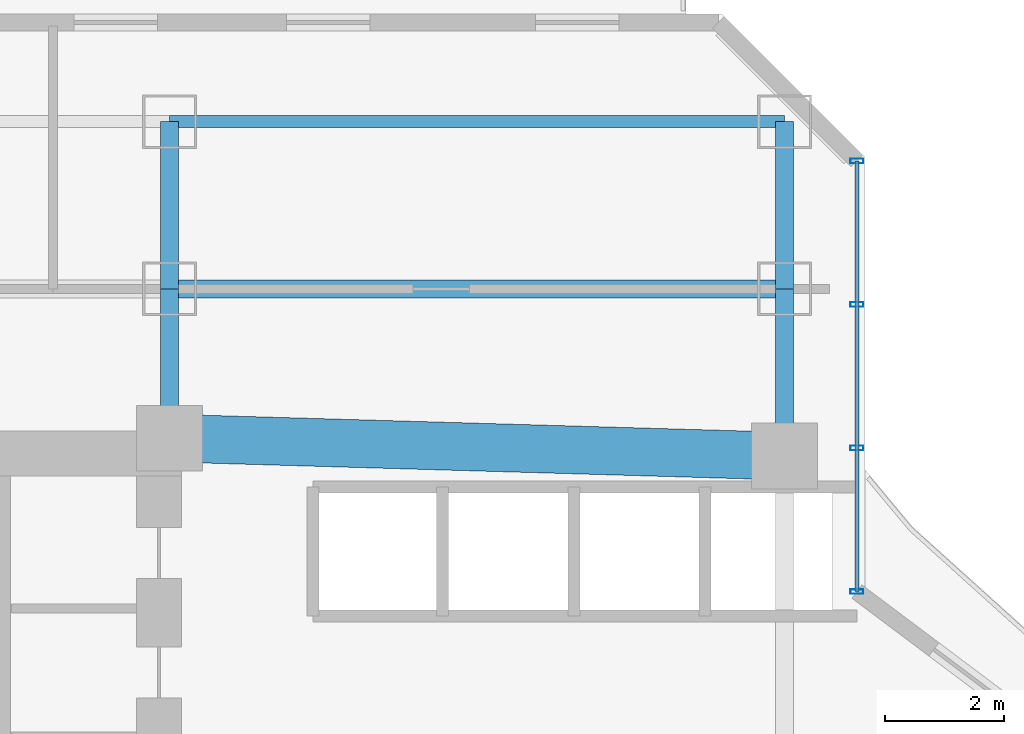
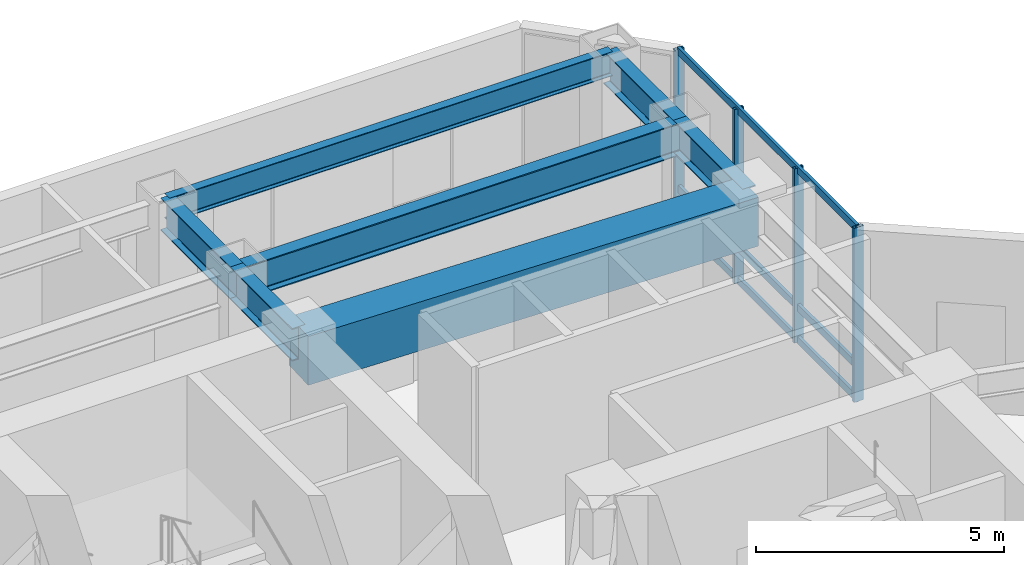
# One storey, part 12 of 27: 7 beams, 7 members, 1 element without a shape of its own.
"""IFC4 building model written with IfcOpenShell, lengths in metres."""

import ifcopenshell
import ifcopenshell.guid

model = None  # the IFC model being written
_history = None  # IfcOwnerHistory: only IFC2X3 demands one
_inside = {}  # id of a spatial element -> (the spatial element, [elements in it])
_under = {}  # id of a project, library or spatial element -> (it, [spatial elements below it])
_declared = {}  # id of a project -> (the project, [libraries it declares])
_typed = {}  # id of a type object -> (the type object, [elements of that type])
_made_of = {}  # id of a material, layer set ... -> (it, [elements and type objects made of it])


def new_model(schema):
    """Start an empty IFC model of exactly this schema.

    Asked for "IFC4X3", IfcOpenShell would pick the latest addendum, in which some entities
    have other attributes; the version numbers below select the first issue.
    IFC2X3 requires an IfcOwnerHistory on every rooted entity: one is made here for all.
    """
    global model, _history
    if schema == "IFC4X3":
        model = ifcopenshell.file(schema_version=(4, 3, 0, 0))
    else:
        model = ifcopenshell.file(schema=schema)
    _inside.clear()
    _under.clear()
    _declared.clear()
    _typed.clear()
    _made_of.clear()
    _history = None
    if model.schema == "IFC2X3":
        org = make("IfcOrganization", Name="unknown")
        user = make(
            "IfcPersonAndOrganization",
            ThePerson=make("IfcPerson", FamilyName="unknown"),
            TheOrganization=org,
        )
        app = make(
            "IfcApplication",
            ApplicationDeveloper=org,
            Version="unknown",
            ApplicationFullName="unknown",
            ApplicationIdentifier="unknown",
        )
        _history = make(
            "IfcOwnerHistory",
            OwningUser=user,
            OwningApplication=app,
            ChangeAction="ADDED",
            CreationDate=0,
        )
    return model


def make(cls, **values):
    """One entity of the class cls with the attributes given. An attribute that is None is left unset."""
    return model.create_entity(
        cls, **{name: value for name, value in values.items() if value is not None}
    )


def rooted(cls, **values):
    """An entity with a GlobalId (a new one), such as an element, a storey or a relation."""
    return make(cls, GlobalId=ifcopenshell.guid.new(), OwnerHistory=_history, **values)


def si_unit(unit_type, name, prefix=None):
    """IfcSIUnit, for example si_unit("LENGTHUNIT", "METRE", prefix="MILLI")."""
    return make("IfcSIUnit", UnitType=unit_type, Prefix=prefix, Name=name)


def assignment(units):
    """IfcUnitAssignment: the units of a project."""
    return None if units is None else make("IfcUnitAssignment", Units=units)


def point(xyz):
    """IfcCartesianPoint."""
    return None if xyz is None else make("IfcCartesianPoint", Coordinates=xyz)


def direction(xyz):
    """IfcDirection."""
    return None if xyz is None else make("IfcDirection", DirectionRatios=xyz)


def frame(location, z_axis=None, x_axis=None):
    """IfcAxis2Placement3D, a coordinate frame: its origin and axes. An axis left out is left unset."""
    return make(
        "IfcAxis2Placement3D",
        Location=point(location),
        Axis=direction(z_axis),
        RefDirection=direction(x_axis),
    )


def frame_2d(location, x_axis=None):
    """IfcAxis2Placement2D, a coordinate frame in the plane: its origin and x axis."""
    return make(
        "IfcAxis2Placement2D", Location=point(location), RefDirection=direction(x_axis)
    )


def origin():
    """The frame at (0, 0, 0) with its axes left unset."""
    return frame((0.0, 0.0, 0.0))


def origin_2d():
    """The frame at (0, 0) in the plane with its x axis left unset."""
    return frame_2d((0.0, 0.0))


def place(relative_to, where):
    """IfcLocalPlacement: puts the frame where relative to a parent placement (None: the world)."""
    return make(
        "IfcLocalPlacement", PlacementRelTo=relative_to, RelativePlacement=where
    )


def context(
    kind, dimensions, precision=None, world=None, true_north=None, identifier=None
):
    """IfcGeometricRepresentationContext, for example the 3D "Model" context."""
    return make(
        "IfcGeometricRepresentationContext",
        ContextIdentifier=identifier,
        ContextType=kind,
        CoordinateSpaceDimension=dimensions,
        Precision=precision,
        WorldCoordinateSystem=world,
        TrueNorth=true_north,
    )


def subcontext(parent, identifier, kind, view, scale=None):
    """IfcGeometricRepresentationSubContext, for example "Body" below "Model"."""
    return make(
        "IfcGeometricRepresentationSubContext",
        ContextIdentifier=identifier,
        ContextType=kind,
        ParentContext=parent,
        TargetScale=scale,
        TargetView=view,
    )


def project(units=None, contexts=None):
    """IfcProject with its units and contexts."""
    return rooted(
        "IfcProject",
        Name="project",
        RepresentationContexts=contexts,
        UnitsInContext=assignment(units),
    )


def spatial(cls, under=None, at=None, **own):
    """A site, building, storey or space (cls), placed at a placement, below another one or the project."""
    s = rooted(cls, ObjectPlacement=at, **own)
    if under is not None:
        _under.setdefault(under.id(), (under, []))[1].append(s)
    return s


def profile(cls, at=None, kind="AREA", **sizes):
    """A parametric profile (cls). Its sizes go by their IFC names, for example OverallWidth=200.0."""
    return make(cls, ProfileType=kind, Position=at, **sizes)


def rectangle(**sizes):
    """IfcRectangleProfileDef."""
    return profile("IfcRectangleProfileDef", **sizes)


def hollow_rectangle(**sizes):
    """IfcRectangleHollowProfileDef."""
    return profile("IfcRectangleHollowProfileDef", **sizes)


def i_section(**sizes):
    """IfcIShapeProfileDef."""
    return profile("IfcIShapeProfileDef", **sizes)


def extrude(swept, where, along, depth):
    """IfcExtrudedAreaSolid: the profile swept, set in the frame where, extruded along a direction by depth."""
    return make(
        "IfcExtrudedAreaSolid",
        SweptArea=swept,
        Position=where,
        ExtrudedDirection=direction(along),
        Depth=depth,
    )


def shape(context_of_items, identifier, shape_type, items):
    """IfcShapeRepresentation: the items that make up one representation, for example the "Body"."""
    return make(
        "IfcShapeRepresentation",
        ContextOfItems=context_of_items,
        RepresentationIdentifier=identifier,
        RepresentationType=shape_type,
        Items=items,
    )


def material(Name=None, Category=None):
    """IfcMaterial."""
    return make("IfcMaterial", Name=Name, Category=Category)


def layer(
    of_material, thickness, ventilated=None, Name=None, Category=None, Priority=None
):
    """IfcMaterialLayer: one layer of a wall or slab, of a material (None: an air gap)."""
    return make(
        "IfcMaterialLayer",
        Material=of_material,
        LayerThickness=thickness,
        IsVentilated=ventilated,
        Name=Name,
        Category=Category,
        Priority=Priority,
    )


def layer_set(layers, Name=None):
    """IfcMaterialLayerSet."""
    return make("IfcMaterialLayerSet", MaterialLayers=layers, LayerSetName=Name)


def material_profile(
    of_material, cross_section, Name=None, Category=None, Priority=None
):
    """IfcMaterialProfile: a cross section and its material."""
    return make(
        "IfcMaterialProfile",
        Name=Name,
        Material=of_material,
        Profile=cross_section,
        Priority=Priority,
        Category=Category,
    )


def profile_set(profiles, Name=None, composite=None):
    """IfcMaterialProfileSet."""
    return make(
        "IfcMaterialProfileSet",
        Name=Name,
        MaterialProfiles=profiles,
        CompositeProfile=composite,
    )


def made_of(thing, what):
    """Note that an element or type object is made of a material, layer set ...; save() writes the relation."""
    if what is not None:
        _made_of.setdefault(what.id(), (what, []))[1].append(thing)
    return thing


def type_object(cls, material=None, **own):
    """A type object (cls), such as IfcWallType, which elements share."""
    return made_of(rooted(cls, **own), material)


def element(
    cls,
    number,
    at=None,
    inside=None,
    cuts=None,
    type_object=None,
    material=None,
    context=None,
    identifier="Body",
    shape_type=None,
    held_by="IfcProductDefinitionShape",
    body=None,
    shapes=None,
    **own,
):
    """One element of the class cls, such as IfcWall. Its Tag is "e" and its number.

    at: its placement. inside: the storey or other place that contains it. cuts: it is an
    opening in that element (IfcRelVoidsElement). A single representation is given by context,
    identifier, shape_type and body (its items); several are given by shapes. held_by: the class
    of the entity that holds the representations. save() writes the other relations.
    """
    e = rooted(cls, Tag="e%d" % number, ObjectPlacement=at, **own)
    if body is not None:
        shapes = [shape(context, identifier, shape_type, body)]
    if shapes is not None:
        e.Representation = make(held_by, Representations=shapes)
    if inside is not None:
        _inside.setdefault(inside.id(), (inside, []))[1].append(e)
    if cuts is not None:
        rooted(
            "IfcRelVoidsElement", RelatingBuildingElement=cuts, RelatedOpeningElement=e
        )
    if type_object is not None:
        _typed.setdefault(type_object.id(), (type_object, []))[1].append(e)
    return made_of(e, material)


def aggregate(whole, parts):
    """IfcRelAggregates: a whole, such as a stair, and the parts it consists of."""
    return rooted("IfcRelAggregates", RelatingObject=whole, RelatedObjects=parts)


def save(model, path):
    """Write the relations noted so far, then the file.

    IfcRelAggregates (storeys below a building ...), IfcRelContainedInSpatialStructure (elements
    in a storey), IfcRelDefinesByType, IfcRelAssociatesMaterial and IfcRelDeclares: one each for
    every whole, place, type object, material and project.
    """
    for whole, parts in _under.values():
        aggregate(whole, parts)
    for where, things in _inside.values():
        rooted(
            "IfcRelContainedInSpatialStructure",
            RelatedElements=things,
            RelatingStructure=where,
        )
    for kind, things in _typed.values():
        rooted("IfcRelDefinesByType", RelatedObjects=things, RelatingType=kind)
    for what, things in _made_of.values():
        rooted("IfcRelAssociatesMaterial", RelatedObjects=things, RelatingMaterial=what)
    for by, libraries in _declared.values():
        rooted("IfcRelDeclares", RelatingContext=by, RelatedDefinitions=libraries)
    model.write(path)


model = new_model("IFC4")

# Units and contexts
model_context = context("Model", 3, precision=1e-05, world=origin(), true_north=direction((0.0, 1.0)))
body_context = subcontext(model_context, "Body", "Model", "MODEL_VIEW")
ifc_project = project(units=[si_unit("LENGTHUNIT", "METRE"), si_unit("AREAUNIT", "SQUARE_METRE"), si_unit("VOLUMEUNIT", "CUBIC_METRE"), si_unit("PLANEANGLEUNIT", "RADIAN"), si_unit("MASSUNIT", "GRAM", prefix="KILO")], contexts=[model_context])

# Site, building, storey
site_placement = place(None, origin())
site = spatial("IfcSite", under=ifc_project, at=site_placement, CompositionType="ELEMENT")
building_placement = place(site_placement, origin())
building = spatial("IfcBuilding", under=site, at=building_placement, Name="Hatsunagi Terrace Concourse", CompositionType="ELEMENT")
storey_placement = place(building_placement, frame((0.0, 0.0, 70.10009765625)))
storey = spatial("IfcBuildingStorey", under=building, at=storey_placement, Name="L18", CompositionType="ELEMENT", Elevation=70.10009765625)

# Beam
ifc_material_1 = material(Name="Concrete Fc60", Category="concrete")
ifc_material_profile_1 = material_profile(ifc_material_1, rectangle(XDim=0.800048828125, YDim=1.199951171875, at=origin_2d()), Name="RC-800x1200")
ifc_profile_set_1 = profile_set([ifc_material_profile_1], Name="Concrete Fc60")
beam_type_1 = type_object("IfcBeamType", Name="CoreCouplingBeam_RC_800x1200", PredefinedType="BEAM", material=ifc_profile_set_1)
beam_1_placement = place(storey_placement, frame((33.35009765625, 43.300048828125, 3.679931640625), z_axis=(0.999575947545, -0.029119153303, 0.0), x_axis=(0.029119153303, 0.999575947545, 0.0)))
element("IfcBeam", 1, at=beam_1_placement, inside=storey, type_object=beam_type_1, Name="Beam CB-01 CB-L18-2", PredefinedType="BEAM", context=body_context, shape_type="SweptSolid", body=[
    extrude(rectangle(XDim=0.800048828125, YDim=1.199951171875, at=origin_2d()), origin(), (0.0, 0.0, 1.0), 10.30419921875),
])

# Curtain wall, members
ifc_material_2 = material(Name="Anodised Aluminium Alloy 6063-T5", Category="aluminium")
ifc_layer = layer(ifc_material_2, 0.199951171875)
ifc_layer_set = layer_set([ifc_layer], Name="SkyLobbyAtrium_CW05")
curtain_wall_type = type_object("IfcCurtainWallType", Name="SkyLobbyAtrium_CW05", PredefinedType="NOTDEFINED", material=ifc_layer_set)
curtain_wall_placement = place(storey_placement, origin())
curtain_wall = element("IfcCurtainWall", 2, at=curtain_wall_placement, inside=storey, type_object=curtain_wall_type, Name="Unitised Curtain Wall CW-05 CW-L18-13", PredefinedType="NOTDEFINED")
ifc_material_3 = material(Name="Anodised Aluminium Alloy 6063-T5", Category="aluminium")
ifc_material_profile_2 = material_profile(ifc_material_3, hollow_rectangle(XDim=0.080078125, YDim=0.219970703125, WallThickness=0.0048828125, at=origin_2d()), Name="ALU-MUL-220x80x5")
ifc_profile_set_2 = profile_set([ifc_material_profile_2], Name="Anodised Aluminium Alloy 6063-T5")
member_type_1 = type_object("IfcMemberType", Name="CurtainWallMullion_Heavy_220x80", PredefinedType="MULLION", material=ifc_profile_set_2)
member_1_placement = place(storey_placement, frame((44.860107421875, 47.94189453125, 0.0), z_axis=(0.0, 0.0, 1.0), x_axis=(0.0, -1.0, 0.0)))
member_1 = element("IfcMember", 3, at=member_1_placement, type_object=member_type_1, Name="Curtain Wall Mullion MUL-01", PredefinedType="MULLION", context=body_context, shape_type="SweptSolid", body=[
    extrude(hollow_rectangle(XDim=0.080078125, YDim=0.219970703125, WallThickness=0.0048828125, at=origin_2d()), origin(), (0.0, 0.0, 1.0), 4.27978515625),
])
member_2_placement = place(storey_placement, frame((44.860107421875, 45.5380859375, 0.0), z_axis=(0.0, 0.0, 1.0), x_axis=(0.0, -1.0, 0.0)))
member_2 = element("IfcMember", 4, at=member_2_placement, type_object=member_type_1, Name="Curtain Wall Mullion MUL-01", PredefinedType="MULLION", context=body_context, shape_type="SweptSolid", body=[
    extrude(hollow_rectangle(XDim=0.080078125, YDim=0.219970703125, WallThickness=0.0048828125, at=origin_2d()), origin(), (0.0, 0.0, 1.0), 4.27978515625),
])
member_3_placement = place(storey_placement, frame((44.860107421875, 43.134033203125, 0.0), z_axis=(0.0, 0.0, 1.0), x_axis=(0.0, -1.0, 0.0)))
member_3 = element("IfcMember", 5, at=member_3_placement, type_object=member_type_1, Name="Curtain Wall Mullion MUL-01", PredefinedType="MULLION", context=body_context, shape_type="SweptSolid", body=[
    extrude(hollow_rectangle(XDim=0.080078125, YDim=0.219970703125, WallThickness=0.0048828125, at=origin_2d()), origin(), (0.0, 0.0, 1.0), 4.27978515625),
])
member_4_placement = place(storey_placement, frame((44.860107421875, 40.72998046875, 0.0), z_axis=(0.0, 0.0, 1.0), x_axis=(0.0, -1.0, 0.0)))
member_4 = element("IfcMember", 6, at=member_4_placement, type_object=member_type_1, Name="Curtain Wall Mullion MUL-01", PredefinedType="MULLION", context=body_context, shape_type="SweptSolid", body=[
    extrude(hollow_rectangle(XDim=0.080078125, YDim=0.219970703125, WallThickness=0.0048828125, at=origin_2d()), origin(), (0.0, 0.0, 1.0), 4.27978515625),
])
ifc_material_4 = material(Name="Anodised Aluminium Alloy 6063-T5", Category="aluminium")
ifc_material_profile_3 = material_profile(ifc_material_4, hollow_rectangle(XDim=0.070068359375, YDim=0.179931640625, WallThickness=0.00390625, at=origin_2d()), Name="ALU-TRN-180x70x4")
ifc_profile_set_3 = profile_set([ifc_material_profile_3], Name="Anodised Aluminium Alloy 6063-T5")
member_type_2 = type_object("IfcMemberType", Name="CurtainWallTransom_Heavy_180x70", PredefinedType="USERDEFINED", material=ifc_profile_set_3)
member_5_placement = place(storey_placement, frame((44.860107421875, 47.94189453125, 0.0498046875), z_axis=(0.0, -1.0, 0.0), x_axis=(1.0, 0.0, 0.0)))
member_5 = element("IfcMember", 7, at=member_5_placement, type_object=member_type_2, Name="Curtain Wall Transom TRN-01", ObjectType="TRANSOM", PredefinedType="USERDEFINED", context=body_context, shape_type="SweptSolid", body=[
    extrude(hollow_rectangle(XDim=0.070068359375, YDim=0.179931640625, WallThickness=0.00390625, at=origin_2d()), origin(), (0.0, 0.0, 1.0), 7.2119140625),
])
member_6_placement = place(storey_placement, frame((44.860107421875, 47.94189453125, 0.849853515625), z_axis=(0.0, -1.0, 0.0), x_axis=(1.0, 0.0, 0.0)))
member_6 = element("IfcMember", 8, at=member_6_placement, type_object=member_type_2, Name="Curtain Wall Transom TRN-01", ObjectType="TRANSOM", PredefinedType="USERDEFINED", context=body_context, shape_type="SweptSolid", body=[
    extrude(hollow_rectangle(XDim=0.070068359375, YDim=0.179931640625, WallThickness=0.00390625, at=origin_2d()), origin(), (0.0, 0.0, 1.0), 7.2119140625),
])
member_7_placement = place(storey_placement, frame((44.860107421875, 47.94189453125, 4.22998046875), z_axis=(0.0, -1.0, 0.0), x_axis=(1.0, 0.0, 0.0)))
member_7 = element("IfcMember", 9, at=member_7_placement, type_object=member_type_2, Name="Curtain Wall Transom TRN-01", ObjectType="TRANSOM", PredefinedType="USERDEFINED", context=body_context, shape_type="SweptSolid", body=[
    extrude(hollow_rectangle(XDim=0.070068359375, YDim=0.179931640625, WallThickness=0.00390625, at=origin_2d()), origin(), (0.0, 0.0, 1.0), 7.2119140625),
])
aggregate(curtain_wall, [member_1, member_2, member_3, member_4, member_5, member_6, member_7])

# Beams
ifc_material_5 = material(Name="Steel SN490B", Category="steel")
ifc_material_profile_4 = material_profile(ifc_material_5, i_section(OverallWidth=0.199951171875, OverallDepth=0.60009765625, WebThickness=0.010986328125, FlangeThickness=0.01708984375, FilletRadius=0.01806640625, at=origin_2d()), Name="H-600x200x11x17")
ifc_profile_set_4 = profile_set([ifc_material_profile_4], Name="Steel SN490B")
beam_type_2 = type_object("IfcBeamType", Name="PerimeterSpandrel_H_600x200", PredefinedType="SPANDREL", material=ifc_profile_set_4)
beam_2_placement = place(storey_placement, frame((33.35009765625, 48.60009765625, 3.97998046875), z_axis=(1.0, 0.0, 0.0), x_axis=(0.0, 1.0, 0.0)))
element("IfcBeam", 10, at=beam_2_placement, inside=storey, type_object=beam_type_2, Name="Beam SP-01 BM-L18-WN-33", PredefinedType="SPANDREL", context=body_context, shape_type="SweptSolid", body=[
    extrude(i_section(OverallWidth=0.199951171875, OverallDepth=0.60009765625, WebThickness=0.010986328125, FlangeThickness=0.01708984375, FilletRadius=0.01806640625, at=origin_2d()), origin(), (0.0, 0.0, 1.0), 10.2998046875),
])
ifc_material_6 = material(Name="Steel SN490B", Category="steel")
ifc_material_profile_5 = material_profile(ifc_material_6, i_section(OverallWidth=0.300048828125, OverallDepth=0.800048828125, WebThickness=0.013916015625, FlangeThickness=0.02587890625, FilletRadius=0.02197265625, at=origin_2d()), Name="H-800x300x14x26")
ifc_profile_set_5 = profile_set([ifc_material_profile_5], Name="Steel SN490B")
beam_type_3 = type_object("IfcBeamType", Name="SkyLobbyGirder_H_800x300", PredefinedType="BEAM", material=ifc_profile_set_5)
beam_3_placement = place(storey_placement, frame((33.35009765625, 43.300048828125, 3.8798828125), z_axis=(0.0, 1.0, 0.0), x_axis=(-1.0, 0.0, 0.0)))
element("IfcBeam", 11, at=beam_3_placement, inside=storey, type_object=beam_type_3, Name="Beam G-03 BM-L18-CN2", PredefinedType="BEAM", context=body_context, shape_type="SweptSolid", body=[
    extrude(i_section(OverallWidth=0.300048828125, OverallDepth=0.800048828125, WebThickness=0.013916015625, FlangeThickness=0.02587890625, FilletRadius=0.02197265625, at=origin_2d()), origin(), (0.0, 0.0, 1.0), 2.5),
])
beam_4_placement = place(storey_placement, frame((43.64990234375, 43.0, 3.8798828125), z_axis=(0.0, 1.0, 0.0), x_axis=(-1.0, 0.0, 0.0)))
element("IfcBeam", 12, at=beam_4_placement, inside=storey, type_object=beam_type_3, Name="Beam G-03 BM-L18-CN3", PredefinedType="BEAM", context=body_context, shape_type="SweptSolid", body=[
    extrude(i_section(OverallWidth=0.300048828125, OverallDepth=0.800048828125, WebThickness=0.013916015625, FlangeThickness=0.02587890625, FilletRadius=0.02197265625, at=origin_2d()), origin(), (0.0, 0.0, 1.0), 2.800048828125),
])
beam_5_placement = place(storey_placement, frame((33.35009765625, 45.800048828125, 3.8798828125), z_axis=(1.0, 0.0, 0.0), x_axis=(0.0, 1.0, 0.0)))
element("IfcBeam", 13, at=beam_5_placement, inside=storey, type_object=beam_type_3, Name="Beam G-03 BM-L18-CNEW2", PredefinedType="BEAM", context=body_context, shape_type="SweptSolid", body=[
    extrude(i_section(OverallWidth=0.300048828125, OverallDepth=0.800048828125, WebThickness=0.013916015625, FlangeThickness=0.02587890625, FilletRadius=0.02197265625, at=origin_2d()), origin(), (0.0, 0.0, 1.0), 10.2998046875),
])
for number, where, z_axis, x_axis, name in (
    (14, (33.35009765625, 45.800048828125, 3.8798828125), (0.0, 1.0, 0.0), (-1.0, 0.0, 0.0), "Beam G-03 BM-L18-KN-WN5"),
    (15, (43.64990234375, 45.800048828125, 3.8798828125), (0.0, 1.0, 0.0), (-1.0, 0.0, 0.0), "Beam G-03 BM-L18-KN-WN6"),
):
    element("IfcBeam", number, at=place(storey_placement, frame(where, z_axis=z_axis, x_axis=x_axis)), inside=storey, type_object=beam_type_3, Name=name, PredefinedType="BEAM", context=body_context, shape_type="SweptSolid", body=[
        extrude(i_section(OverallWidth=0.300048828125, OverallDepth=0.800048828125, WebThickness=0.013916015625, FlangeThickness=0.02587890625, FilletRadius=0.02197265625, at=origin_2d()), origin(), (0.0, 0.0, 1.0), 2.800048828125),
    ])

save(model, "model.ifc")
